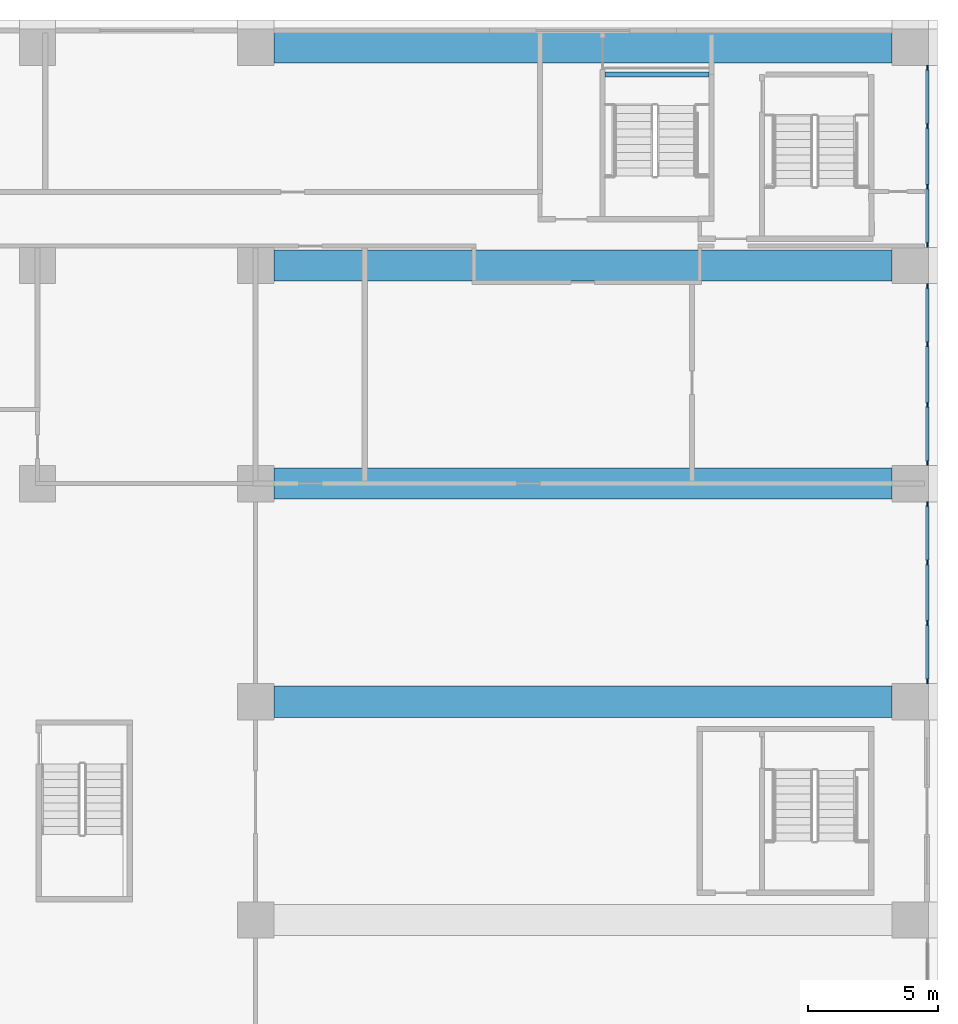
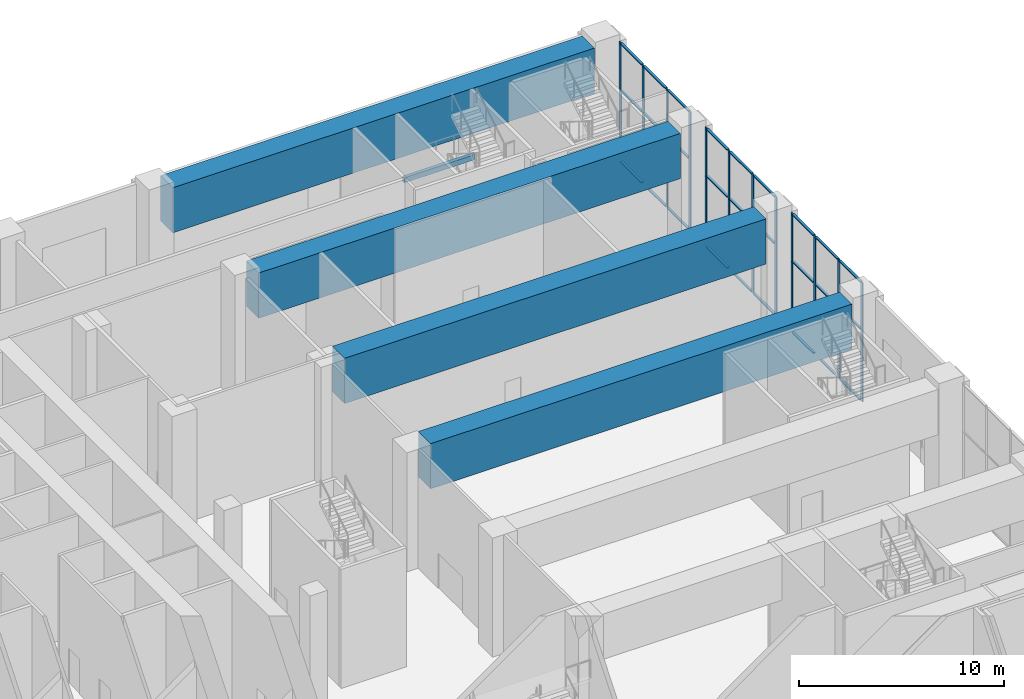
# One storey, part 3 of 29: 39 members, 5 beams, 3 elements without a shape of their own.
"""IFC4 building model written with IfcOpenShell, lengths in metres."""

import ifcopenshell
import ifcopenshell.guid

model = None  # the IFC model being written
_history = None  # IfcOwnerHistory: only IFC2X3 demands one
_inside = {}  # id of a spatial element -> (the spatial element, [elements in it])
_under = {}  # id of a project, library or spatial element -> (it, [spatial elements below it])
_declared = {}  # id of a project -> (the project, [libraries it declares])
_typed = {}  # id of a type object -> (the type object, [elements of that type])
_made_of = {}  # id of a material, layer set ... -> (it, [elements and type objects made of it])


def new_model(schema):
    """Start an empty IFC model of exactly this schema.

    Asked for "IFC4X3", IfcOpenShell would pick the latest addendum, in which some entities
    have other attributes; the version numbers below select the first issue.
    IFC2X3 requires an IfcOwnerHistory on every rooted entity: one is made here for all.
    """
    global model, _history
    if schema == "IFC4X3":
        model = ifcopenshell.file(schema_version=(4, 3, 0, 0))
    else:
        model = ifcopenshell.file(schema=schema)
    _inside.clear()
    _under.clear()
    _declared.clear()
    _typed.clear()
    _made_of.clear()
    _history = None
    if model.schema == "IFC2X3":
        org = make("IfcOrganization", Name="unknown")
        user = make(
            "IfcPersonAndOrganization",
            ThePerson=make("IfcPerson", FamilyName="unknown"),
            TheOrganization=org,
        )
        app = make(
            "IfcApplication",
            ApplicationDeveloper=org,
            Version="unknown",
            ApplicationFullName="unknown",
            ApplicationIdentifier="unknown",
        )
        _history = make(
            "IfcOwnerHistory",
            OwningUser=user,
            OwningApplication=app,
            ChangeAction="ADDED",
            CreationDate=0,
        )
    return model


def make(cls, **values):
    """One entity of the class cls with the attributes given. An attribute that is None is left unset."""
    return model.create_entity(
        cls, **{name: value for name, value in values.items() if value is not None}
    )


def rooted(cls, **values):
    """An entity with a GlobalId (a new one), such as an element, a storey or a relation."""
    return make(cls, GlobalId=ifcopenshell.guid.new(), OwnerHistory=_history, **values)


def si_unit(unit_type, name, prefix=None):
    """IfcSIUnit, for example si_unit("LENGTHUNIT", "METRE", prefix="MILLI")."""
    return make("IfcSIUnit", UnitType=unit_type, Prefix=prefix, Name=name)


def assignment(units):
    """IfcUnitAssignment: the units of a project."""
    return None if units is None else make("IfcUnitAssignment", Units=units)


def point(xyz):
    """IfcCartesianPoint."""
    return None if xyz is None else make("IfcCartesianPoint", Coordinates=xyz)


def direction(xyz):
    """IfcDirection."""
    return None if xyz is None else make("IfcDirection", DirectionRatios=xyz)


def frame(location, z_axis=None, x_axis=None):
    """IfcAxis2Placement3D, a coordinate frame: its origin and axes. An axis left out is left unset."""
    return make(
        "IfcAxis2Placement3D",
        Location=point(location),
        Axis=direction(z_axis),
        RefDirection=direction(x_axis),
    )


def frame_2d(location, x_axis=None):
    """IfcAxis2Placement2D, a coordinate frame in the plane: its origin and x axis."""
    return make(
        "IfcAxis2Placement2D", Location=point(location), RefDirection=direction(x_axis)
    )


def origin():
    """The frame at (0, 0, 0) with its axes left unset."""
    return frame((0.0, 0.0, 0.0))


def origin_2d():
    """The frame at (0, 0) in the plane with its x axis left unset."""
    return frame_2d((0.0, 0.0))


def place(relative_to, where):
    """IfcLocalPlacement: puts the frame where relative to a parent placement (None: the world)."""
    return make(
        "IfcLocalPlacement", PlacementRelTo=relative_to, RelativePlacement=where
    )


def context(
    kind, dimensions, precision=None, world=None, true_north=None, identifier=None
):
    """IfcGeometricRepresentationContext, for example the 3D "Model" context."""
    return make(
        "IfcGeometricRepresentationContext",
        ContextIdentifier=identifier,
        ContextType=kind,
        CoordinateSpaceDimension=dimensions,
        Precision=precision,
        WorldCoordinateSystem=world,
        TrueNorth=true_north,
    )


def subcontext(parent, identifier, kind, view, scale=None):
    """IfcGeometricRepresentationSubContext, for example "Body" below "Model"."""
    return make(
        "IfcGeometricRepresentationSubContext",
        ContextIdentifier=identifier,
        ContextType=kind,
        ParentContext=parent,
        TargetScale=scale,
        TargetView=view,
    )


def project(units=None, contexts=None):
    """IfcProject with its units and contexts."""
    return rooted(
        "IfcProject",
        Name="project",
        RepresentationContexts=contexts,
        UnitsInContext=assignment(units),
    )


def spatial(cls, under=None, at=None, **own):
    """A site, building, storey or space (cls), placed at a placement, below another one or the project."""
    s = rooted(cls, ObjectPlacement=at, **own)
    if under is not None:
        _under.setdefault(under.id(), (under, []))[1].append(s)
    return s


def profile(cls, at=None, kind="AREA", **sizes):
    """A parametric profile (cls). Its sizes go by their IFC names, for example OverallWidth=200.0."""
    return make(cls, ProfileType=kind, Position=at, **sizes)


def rectangle(**sizes):
    """IfcRectangleProfileDef."""
    return profile("IfcRectangleProfileDef", **sizes)


def extrude(swept, where, along, depth):
    """IfcExtrudedAreaSolid: the profile swept, set in the frame where, extruded along a direction by depth."""
    return make(
        "IfcExtrudedAreaSolid",
        SweptArea=swept,
        Position=where,
        ExtrudedDirection=direction(along),
        Depth=depth,
    )


def shape(context_of_items, identifier, shape_type, items):
    """IfcShapeRepresentation: the items that make up one representation, for example the "Body"."""
    return make(
        "IfcShapeRepresentation",
        ContextOfItems=context_of_items,
        RepresentationIdentifier=identifier,
        RepresentationType=shape_type,
        Items=items,
    )


def material(Name=None, Category=None):
    """IfcMaterial."""
    return make("IfcMaterial", Name=Name, Category=Category)


def material_profile(
    of_material, cross_section, Name=None, Category=None, Priority=None
):
    """IfcMaterialProfile: a cross section and its material."""
    return make(
        "IfcMaterialProfile",
        Name=Name,
        Material=of_material,
        Profile=cross_section,
        Priority=Priority,
        Category=Category,
    )


def profile_set(profiles, Name=None, composite=None):
    """IfcMaterialProfileSet."""
    return make(
        "IfcMaterialProfileSet",
        Name=Name,
        MaterialProfiles=profiles,
        CompositeProfile=composite,
    )


def made_of(thing, what):
    """Note that an element or type object is made of a material, layer set ...; save() writes the relation."""
    if what is not None:
        _made_of.setdefault(what.id(), (what, []))[1].append(thing)
    return thing


def type_object(cls, material=None, **own):
    """A type object (cls), such as IfcWallType, which elements share."""
    return made_of(rooted(cls, **own), material)


def element(
    cls,
    number,
    at=None,
    inside=None,
    cuts=None,
    type_object=None,
    material=None,
    context=None,
    identifier="Body",
    shape_type=None,
    held_by="IfcProductDefinitionShape",
    body=None,
    shapes=None,
    **own,
):
    """One element of the class cls, such as IfcWall. Its Tag is "e" and its number.

    at: its placement. inside: the storey or other place that contains it. cuts: it is an
    opening in that element (IfcRelVoidsElement). A single representation is given by context,
    identifier, shape_type and body (its items); several are given by shapes. held_by: the class
    of the entity that holds the representations. save() writes the other relations.
    """
    e = rooted(cls, Tag="e%d" % number, ObjectPlacement=at, **own)
    if body is not None:
        shapes = [shape(context, identifier, shape_type, body)]
    if shapes is not None:
        e.Representation = make(held_by, Representations=shapes)
    if inside is not None:
        _inside.setdefault(inside.id(), (inside, []))[1].append(e)
    if cuts is not None:
        rooted(
            "IfcRelVoidsElement", RelatingBuildingElement=cuts, RelatedOpeningElement=e
        )
    if type_object is not None:
        _typed.setdefault(type_object.id(), (type_object, []))[1].append(e)
    return made_of(e, material)


def aggregate(whole, parts):
    """IfcRelAggregates: a whole, such as a stair, and the parts it consists of."""
    return rooted("IfcRelAggregates", RelatingObject=whole, RelatedObjects=parts)


def save(model, path):
    """Write the relations noted so far, then the file.

    IfcRelAggregates (storeys below a building ...), IfcRelContainedInSpatialStructure (elements
    in a storey), IfcRelDefinesByType, IfcRelAssociatesMaterial and IfcRelDeclares: one each for
    every whole, place, type object, material and project.
    """
    for whole, parts in _under.values():
        aggregate(whole, parts)
    for where, things in _inside.values():
        rooted(
            "IfcRelContainedInSpatialStructure",
            RelatedElements=things,
            RelatingStructure=where,
        )
    for kind, things in _typed.values():
        rooted("IfcRelDefinesByType", RelatedObjects=things, RelatingType=kind)
    for what, things in _made_of.values():
        rooted("IfcRelAssociatesMaterial", RelatedObjects=things, RelatingMaterial=what)
    for by, libraries in _declared.values():
        rooted("IfcRelDeclares", RelatingContext=by, RelatedDefinitions=libraries)
    model.write(path)


model = new_model("IFC4")

# Units and contexts
model_context = context("Model", 3, precision=1e-05, world=origin(), true_north=direction((0.0, 1.0)))
body_context = subcontext(model_context, "Body", "Model", "MODEL_VIEW")
ifc_project = project(units=[si_unit("LENGTHUNIT", "METRE"), si_unit("AREAUNIT", "SQUARE_METRE"), si_unit("VOLUMEUNIT", "CUBIC_METRE"), si_unit("PLANEANGLEUNIT", "RADIAN"), si_unit("MASSUNIT", "GRAM", prefix="KILO")], contexts=[model_context])

# Site, building, storey
site_placement = place(None, origin())
site = spatial("IfcSite", under=ifc_project, at=site_placement, CompositionType="ELEMENT")
building_placement = place(site_placement, origin())
building = spatial("IfcBuilding", under=site, at=building_placement, Name="Vermilion Ogive Tower", CompositionType="ELEMENT")
storey_placement = place(building_placement, frame((0.0, 0.0, 12.5)))
storey = spatial("IfcBuildingStorey", under=building, at=storey_placement, Name="L02", CompositionType="ELEMENT", Elevation=12.5)

# Curtain wall, members
ifc_material_1 = material(Name="Clear double glazing in aluminium frame", Category="aluminium")
curtain_wall_type = type_object("IfcCurtainWallType", Name="Curtain wall CW5", PredefinedType="NOTDEFINED", material=ifc_material_1)
curtain_wall_1_placement = place(storey_placement, origin())
curtain_wall_1 = element("IfcCurtainWall", 1, at=curtain_wall_1_placement, inside=storey, type_object=curtain_wall_type, Name="CW5 ballroom glazing E5", PredefinedType="NOTDEFINED")
ifc_material_2 = material(Name="Aluminium mullion", Category="aluminium")
ifc_material_profile_1 = material_profile(ifc_material_2, rectangle(XDim=0.06005859375, YDim=0.179931640625, at=origin_2d()), Name="AL 60x180")
ifc_profile_set_1 = profile_set([ifc_material_profile_1], Name="Aluminium mullion")
member_type_1 = type_object("IfcMemberType", Name="CW5 mullion 60x180", PredefinedType="MULLION", material=ifc_profile_set_1)
member_1_placement = place(storey_placement, frame((51.06005859375, 4.989990234375, 0.0), z_axis=(0.0, 0.0, 1.0), x_axis=(-1.0, 0.0, 0.0)))
member_1 = element("IfcMember", 2, at=member_1_placement, type_object=member_type_1, Name="CW5-E5 mullion 1", PredefinedType="MULLION", context=body_context, shape_type="SweptSolid", body=[
    extrude(rectangle(XDim=0.06005859375, YDim=0.179931640625, at=origin_2d()), origin(), (0.0, 0.0, 1.0), 7.10009765625),
])
member_2_placement = place(storey_placement, frame((51.06005859375, 7.2333984375, 0.0), z_axis=(0.0, 0.0, 1.0), x_axis=(-1.0, 0.0, 0.0)))
member_2 = element("IfcMember", 3, at=member_2_placement, type_object=member_type_1, Name="CW5-E5 mullion 2", PredefinedType="MULLION", context=body_context, shape_type="SweptSolid", body=[
    extrude(rectangle(XDim=0.06005859375, YDim=0.179931640625, at=origin_2d()), origin(), (0.0, 0.0, 1.0), 7.10009765625),
])
member_3_placement = place(storey_placement, frame((51.06005859375, 9.566650390625, 0.0), z_axis=(0.0, 0.0, 1.0), x_axis=(-1.0, 0.0, 0.0)))
member_3 = element("IfcMember", 4, at=member_3_placement, type_object=member_type_1, Name="CW5-E5 mullion 3", PredefinedType="MULLION", context=body_context, shape_type="SweptSolid", body=[
    extrude(rectangle(XDim=0.06005859375, YDim=0.179931640625, at=origin_2d()), origin(), (0.0, 0.0, 1.0), 7.10009765625),
])
member_4_placement = place(storey_placement, frame((51.06005859375, 11.81005859375, 0.0), z_axis=(0.0, 0.0, 1.0), x_axis=(-1.0, 0.0, 0.0)))
member_4 = element("IfcMember", 5, at=member_4_placement, type_object=member_type_1, Name="CW5-E5 mullion 4", PredefinedType="MULLION", context=body_context, shape_type="SweptSolid", body=[
    extrude(rectangle(XDim=0.06005859375, YDim=0.179931640625, at=origin_2d()), origin(), (0.0, 0.0, 1.0), 7.10009765625),
])

curtain_wall_2_placement = place(storey_placement, origin())
curtain_wall_2 = element("IfcCurtainWall", 6, at=curtain_wall_2_placement, inside=storey, type_object=curtain_wall_type, Name="CW5 ballroom glazing E6", PredefinedType="NOTDEFINED")
member_5_placement = place(storey_placement, frame((51.06005859375, 13.389892578125, 0.0), z_axis=(0.0, 0.0, 1.0), x_axis=(-1.0, 0.0, 0.0)))
member_5 = element("IfcMember", 7, at=member_5_placement, type_object=member_type_1, Name="CW5-E6 mullion 1", PredefinedType="MULLION", context=body_context, shape_type="SweptSolid", body=[
    extrude(rectangle(XDim=0.06005859375, YDim=0.179931640625, at=origin_2d()), origin(), (0.0, 0.0, 1.0), 7.10009765625),
])
member_6_placement = place(storey_placement, frame((51.06005859375, 15.63330078125, 0.0), z_axis=(0.0, 0.0, 1.0), x_axis=(-1.0, 0.0, 0.0)))
member_6 = element("IfcMember", 8, at=member_6_placement, type_object=member_type_1, Name="CW5-E6 mullion 2", PredefinedType="MULLION", context=body_context, shape_type="SweptSolid", body=[
    extrude(rectangle(XDim=0.06005859375, YDim=0.179931640625, at=origin_2d()), origin(), (0.0, 0.0, 1.0), 7.10009765625),
])
member_7_placement = place(storey_placement, frame((51.06005859375, 17.966552734375, 0.0), z_axis=(0.0, 0.0, 1.0), x_axis=(-1.0, 0.0, 0.0)))
member_7 = element("IfcMember", 9, at=member_7_placement, type_object=member_type_1, Name="CW5-E6 mullion 3", PredefinedType="MULLION", context=body_context, shape_type="SweptSolid", body=[
    extrude(rectangle(XDim=0.06005859375, YDim=0.179931640625, at=origin_2d()), origin(), (0.0, 0.0, 1.0), 7.10009765625),
])
member_8_placement = place(storey_placement, frame((51.06005859375, 20.2099609375, 0.0), z_axis=(0.0, 0.0, 1.0), x_axis=(-1.0, 0.0, 0.0)))
member_8 = element("IfcMember", 10, at=member_8_placement, type_object=member_type_1, Name="CW5-E6 mullion 4", PredefinedType="MULLION", context=body_context, shape_type="SweptSolid", body=[
    extrude(rectangle(XDim=0.06005859375, YDim=0.179931640625, at=origin_2d()), origin(), (0.0, 0.0, 1.0), 7.10009765625),
])

curtain_wall_3_placement = place(storey_placement, origin())
curtain_wall_3 = element("IfcCurtainWall", 11, at=curtain_wall_3_placement, inside=storey, type_object=curtain_wall_type, Name="CW5 ballroom glazing E7", PredefinedType="NOTDEFINED")
member_9_placement = place(storey_placement, frame((51.06005859375, 21.7900390625, 0.0), z_axis=(0.0, 0.0, 1.0), x_axis=(-1.0, 0.0, 0.0)))
member_9 = element("IfcMember", 12, at=member_9_placement, type_object=member_type_1, Name="CW5-E7 mullion 1", PredefinedType="MULLION", context=body_context, shape_type="SweptSolid", body=[
    extrude(rectangle(XDim=0.06005859375, YDim=0.179931640625, at=origin_2d()), origin(), (0.0, 0.0, 1.0), 7.10009765625),
])
member_10_placement = place(storey_placement, frame((51.06005859375, 24.033447265625, 0.0), z_axis=(0.0, 0.0, 1.0), x_axis=(-1.0, 0.0, 0.0)))
member_10 = element("IfcMember", 13, at=member_10_placement, type_object=member_type_1, Name="CW5-E7 mullion 2", PredefinedType="MULLION", context=body_context, shape_type="SweptSolid", body=[
    extrude(rectangle(XDim=0.06005859375, YDim=0.179931640625, at=origin_2d()), origin(), (0.0, 0.0, 1.0), 7.10009765625),
])
member_11_placement = place(storey_placement, frame((51.06005859375, 26.36669921875, 0.0), z_axis=(0.0, 0.0, 1.0), x_axis=(-1.0, 0.0, 0.0)))
member_11 = element("IfcMember", 14, at=member_11_placement, type_object=member_type_1, Name="CW5-E7 mullion 3", PredefinedType="MULLION", context=body_context, shape_type="SweptSolid", body=[
    extrude(rectangle(XDim=0.06005859375, YDim=0.179931640625, at=origin_2d()), origin(), (0.0, 0.0, 1.0), 7.10009765625),
])
member_12_placement = place(storey_placement, frame((51.06005859375, 28.610107421875, 0.0), z_axis=(0.0, 0.0, 1.0), x_axis=(-1.0, 0.0, 0.0)))
member_12 = element("IfcMember", 15, at=member_12_placement, type_object=member_type_1, Name="CW5-E7 mullion 4", PredefinedType="MULLION", context=body_context, shape_type="SweptSolid", body=[
    extrude(rectangle(XDim=0.06005859375, YDim=0.179931640625, at=origin_2d()), origin(), (0.0, 0.0, 1.0), 7.10009765625),
])

# Member
ifc_material_3 = material(Name="Aluminium transom", Category="aluminium")
ifc_material_profile_2 = material_profile(ifc_material_3, rectangle(XDim=0.139892578125, YDim=0.06005859375, at=origin_2d()), Name="AL 60x140")
ifc_profile_set_2 = profile_set([ifc_material_profile_2], Name="Aluminium transom")
member_type_2 = type_object("IfcMemberType", Name="CW5 transom 60x140", PredefinedType="USERDEFINED", material=ifc_profile_set_2)
member_13_placement = place(storey_placement, frame((51.06005859375, 5.080078125, 0.030029296875), z_axis=(0.0, 1.0, 0.0), x_axis=(-1.0, 0.0, 0.0)))
member_13 = element("IfcMember", 16, at=member_13_placement, type_object=member_type_2, Name="CW5-E5 transom 1.1", ObjectType="TRANSOM", PredefinedType="USERDEFINED", context=body_context, shape_type="SweptSolid", body=[
    extrude(rectangle(XDim=0.139892578125, YDim=0.06005859375, at=origin_2d()), origin(), (0.0, 0.0, 1.0), 2.063232421875),
])

member_14_placement = place(storey_placement, frame((51.06005859375, 5.080078125, 4.260009765625), z_axis=(0.0, 1.0, 0.0), x_axis=(-1.0, 0.0, 0.0)))
member_14 = element("IfcMember", 17, at=member_14_placement, type_object=member_type_2, Name="CW5-E5 transom 1.2", ObjectType="TRANSOM", PredefinedType="USERDEFINED", context=body_context, shape_type="SweptSolid", body=[
    extrude(rectangle(XDim=0.139892578125, YDim=0.06005859375, at=origin_2d()), origin(), (0.0, 0.0, 1.0), 2.063232421875),
])

member_15_placement = place(storey_placement, frame((51.06005859375, 5.080078125, 7.070068359375), z_axis=(0.0, 1.0, 0.0), x_axis=(-1.0, 0.0, 0.0)))
member_15 = element("IfcMember", 18, at=member_15_placement, type_object=member_type_2, Name="CW5-E5 transom 1.3", ObjectType="TRANSOM", PredefinedType="USERDEFINED", context=body_context, shape_type="SweptSolid", body=[
    extrude(rectangle(XDim=0.139892578125, YDim=0.06005859375, at=origin_2d()), origin(), (0.0, 0.0, 1.0), 2.063232421875),
])

member_16_placement = place(storey_placement, frame((51.06005859375, 7.3232421875, 0.030029296875), z_axis=(0.0, 1.0, 0.0), x_axis=(-1.0, 0.0, 0.0)))
member_16 = element("IfcMember", 19, at=member_16_placement, type_object=member_type_2, Name="CW5-E5 transom 2.1", ObjectType="TRANSOM", PredefinedType="USERDEFINED", context=body_context, shape_type="SweptSolid", body=[
    extrude(rectangle(XDim=0.139892578125, YDim=0.06005859375, at=origin_2d()), origin(), (0.0, 0.0, 1.0), 2.1533203125),
])

member_17_placement = place(storey_placement, frame((51.06005859375, 7.3232421875, 4.260009765625), z_axis=(0.0, 1.0, 0.0), x_axis=(-1.0, 0.0, 0.0)))
member_17 = element("IfcMember", 20, at=member_17_placement, type_object=member_type_2, Name="CW5-E5 transom 2.2", ObjectType="TRANSOM", PredefinedType="USERDEFINED", context=body_context, shape_type="SweptSolid", body=[
    extrude(rectangle(XDim=0.139892578125, YDim=0.06005859375, at=origin_2d()), origin(), (0.0, 0.0, 1.0), 2.1533203125),
])

member_18_placement = place(storey_placement, frame((51.06005859375, 7.3232421875, 7.070068359375), z_axis=(0.0, 1.0, 0.0), x_axis=(-1.0, 0.0, 0.0)))
member_18 = element("IfcMember", 21, at=member_18_placement, type_object=member_type_2, Name="CW5-E5 transom 2.3", ObjectType="TRANSOM", PredefinedType="USERDEFINED", context=body_context, shape_type="SweptSolid", body=[
    extrude(rectangle(XDim=0.139892578125, YDim=0.06005859375, at=origin_2d()), origin(), (0.0, 0.0, 1.0), 2.1533203125),
])

member_19_placement = place(storey_placement, frame((51.06005859375, 9.65673828125, 0.030029296875), z_axis=(0.0, 1.0, 0.0), x_axis=(-1.0, 0.0, 0.0)))
member_19 = element("IfcMember", 22, at=member_19_placement, type_object=member_type_2, Name="CW5-E5 transom 3.1", ObjectType="TRANSOM", PredefinedType="USERDEFINED", context=body_context, shape_type="SweptSolid", body=[
    extrude(rectangle(XDim=0.139892578125, YDim=0.06005859375, at=origin_2d()), origin(), (0.0, 0.0, 1.0), 2.063232421875),
])

member_20_placement = place(storey_placement, frame((51.06005859375, 9.65673828125, 4.260009765625), z_axis=(0.0, 1.0, 0.0), x_axis=(-1.0, 0.0, 0.0)))
member_20 = element("IfcMember", 23, at=member_20_placement, type_object=member_type_2, Name="CW5-E5 transom 3.2", ObjectType="TRANSOM", PredefinedType="USERDEFINED", context=body_context, shape_type="SweptSolid", body=[
    extrude(rectangle(XDim=0.139892578125, YDim=0.06005859375, at=origin_2d()), origin(), (0.0, 0.0, 1.0), 2.063232421875),
])

member_21_placement = place(storey_placement, frame((51.06005859375, 9.65673828125, 7.070068359375), z_axis=(0.0, 1.0, 0.0), x_axis=(-1.0, 0.0, 0.0)))
member_21 = element("IfcMember", 24, at=member_21_placement, type_object=member_type_2, Name="CW5-E5 transom 3.3", ObjectType="TRANSOM", PredefinedType="USERDEFINED", context=body_context, shape_type="SweptSolid", body=[
    extrude(rectangle(XDim=0.139892578125, YDim=0.06005859375, at=origin_2d()), origin(), (0.0, 0.0, 1.0), 2.063232421875),
])

aggregate(curtain_wall_1, [member_1, member_2, member_3, member_4, member_13, member_14, member_15, member_16, member_17, member_18, member_19, member_20, member_21])

member_22_placement = place(storey_placement, frame((51.06005859375, 13.47998046875, 0.030029296875), z_axis=(0.0, 1.0, 0.0), x_axis=(-1.0, 0.0, 0.0)))
member_22 = element("IfcMember", 25, at=member_22_placement, type_object=member_type_2, Name="CW5-E6 transom 1.1", ObjectType="TRANSOM", PredefinedType="USERDEFINED", context=body_context, shape_type="SweptSolid", body=[
    extrude(rectangle(XDim=0.139892578125, YDim=0.06005859375, at=origin_2d()), origin(), (0.0, 0.0, 1.0), 2.063232421875),
])

member_23_placement = place(storey_placement, frame((51.06005859375, 13.47998046875, 4.260009765625), z_axis=(0.0, 1.0, 0.0), x_axis=(-1.0, 0.0, 0.0)))
member_23 = element("IfcMember", 26, at=member_23_placement, type_object=member_type_2, Name="CW5-E6 transom 1.2", ObjectType="TRANSOM", PredefinedType="USERDEFINED", context=body_context, shape_type="SweptSolid", body=[
    extrude(rectangle(XDim=0.139892578125, YDim=0.06005859375, at=origin_2d()), origin(), (0.0, 0.0, 1.0), 2.063232421875),
])

member_24_placement = place(storey_placement, frame((51.06005859375, 13.47998046875, 7.070068359375), z_axis=(0.0, 1.0, 0.0), x_axis=(-1.0, 0.0, 0.0)))
member_24 = element("IfcMember", 27, at=member_24_placement, type_object=member_type_2, Name="CW5-E6 transom 1.3", ObjectType="TRANSOM", PredefinedType="USERDEFINED", context=body_context, shape_type="SweptSolid", body=[
    extrude(rectangle(XDim=0.139892578125, YDim=0.06005859375, at=origin_2d()), origin(), (0.0, 0.0, 1.0), 2.063232421875),
])

member_25_placement = place(storey_placement, frame((51.06005859375, 15.723388671875, 0.030029296875), z_axis=(0.0, 1.0, 0.0), x_axis=(-1.0, 0.0, 0.0)))
member_25 = element("IfcMember", 28, at=member_25_placement, type_object=member_type_2, Name="CW5-E6 transom 2.1", ObjectType="TRANSOM", PredefinedType="USERDEFINED", context=body_context, shape_type="SweptSolid", body=[
    extrude(rectangle(XDim=0.139892578125, YDim=0.06005859375, at=origin_2d()), origin(), (0.0, 0.0, 1.0), 2.1533203125),
])

member_26_placement = place(storey_placement, frame((51.06005859375, 15.723388671875, 4.260009765625), z_axis=(0.0, 1.0, 0.0), x_axis=(-1.0, 0.0, 0.0)))
member_26 = element("IfcMember", 29, at=member_26_placement, type_object=member_type_2, Name="CW5-E6 transom 2.2", ObjectType="TRANSOM", PredefinedType="USERDEFINED", context=body_context, shape_type="SweptSolid", body=[
    extrude(rectangle(XDim=0.139892578125, YDim=0.06005859375, at=origin_2d()), origin(), (0.0, 0.0, 1.0), 2.1533203125),
])

member_27_placement = place(storey_placement, frame((51.06005859375, 15.723388671875, 7.070068359375), z_axis=(0.0, 1.0, 0.0), x_axis=(-1.0, 0.0, 0.0)))
member_27 = element("IfcMember", 30, at=member_27_placement, type_object=member_type_2, Name="CW5-E6 transom 2.3", ObjectType="TRANSOM", PredefinedType="USERDEFINED", context=body_context, shape_type="SweptSolid", body=[
    extrude(rectangle(XDim=0.139892578125, YDim=0.06005859375, at=origin_2d()), origin(), (0.0, 0.0, 1.0), 2.1533203125),
])

member_28_placement = place(storey_placement, frame((51.06005859375, 18.056640625, 0.030029296875), z_axis=(0.0, 1.0, 0.0), x_axis=(-1.0, 0.0, 0.0)))
member_28 = element("IfcMember", 31, at=member_28_placement, type_object=member_type_2, Name="CW5-E6 transom 3.1", ObjectType="TRANSOM", PredefinedType="USERDEFINED", context=body_context, shape_type="SweptSolid", body=[
    extrude(rectangle(XDim=0.139892578125, YDim=0.06005859375, at=origin_2d()), origin(), (0.0, 0.0, 1.0), 2.0634765625),
])

member_29_placement = place(storey_placement, frame((51.06005859375, 18.056640625, 4.260009765625), z_axis=(0.0, 1.0, 0.0), x_axis=(-1.0, 0.0, 0.0)))
member_29 = element("IfcMember", 32, at=member_29_placement, type_object=member_type_2, Name="CW5-E6 transom 3.2", ObjectType="TRANSOM", PredefinedType="USERDEFINED", context=body_context, shape_type="SweptSolid", body=[
    extrude(rectangle(XDim=0.139892578125, YDim=0.06005859375, at=origin_2d()), origin(), (0.0, 0.0, 1.0), 2.0634765625),
])

member_30_placement = place(storey_placement, frame((51.06005859375, 18.056640625, 7.070068359375), z_axis=(0.0, 1.0, 0.0), x_axis=(-1.0, 0.0, 0.0)))
member_30 = element("IfcMember", 33, at=member_30_placement, type_object=member_type_2, Name="CW5-E6 transom 3.3", ObjectType="TRANSOM", PredefinedType="USERDEFINED", context=body_context, shape_type="SweptSolid", body=[
    extrude(rectangle(XDim=0.139892578125, YDim=0.06005859375, at=origin_2d()), origin(), (0.0, 0.0, 1.0), 2.0634765625),
])

aggregate(curtain_wall_2, [member_5, member_6, member_7, member_8, member_22, member_23, member_24, member_25, member_26, member_27, member_28, member_29, member_30])

member_31_placement = place(storey_placement, frame((51.06005859375, 21.8798828125, 0.030029296875), z_axis=(0.0, 1.0, 0.0), x_axis=(-1.0, 0.0, 0.0)))
member_31 = element("IfcMember", 34, at=member_31_placement, type_object=member_type_2, Name="CW5-E7 transom 1.1", ObjectType="TRANSOM", PredefinedType="USERDEFINED", context=body_context, shape_type="SweptSolid", body=[
    extrude(rectangle(XDim=0.139892578125, YDim=0.06005859375, at=origin_2d()), origin(), (0.0, 0.0, 1.0), 2.0634765625),
])

member_32_placement = place(storey_placement, frame((51.06005859375, 21.8798828125, 4.260009765625), z_axis=(0.0, 1.0, 0.0), x_axis=(-1.0, 0.0, 0.0)))
member_32 = element("IfcMember", 35, at=member_32_placement, type_object=member_type_2, Name="CW5-E7 transom 1.2", ObjectType="TRANSOM", PredefinedType="USERDEFINED", context=body_context, shape_type="SweptSolid", body=[
    extrude(rectangle(XDim=0.139892578125, YDim=0.06005859375, at=origin_2d()), origin(), (0.0, 0.0, 1.0), 2.0634765625),
])

member_33_placement = place(storey_placement, frame((51.06005859375, 21.8798828125, 7.070068359375), z_axis=(0.0, 1.0, 0.0), x_axis=(-1.0, 0.0, 0.0)))
member_33 = element("IfcMember", 36, at=member_33_placement, type_object=member_type_2, Name="CW5-E7 transom 1.3", ObjectType="TRANSOM", PredefinedType="USERDEFINED", context=body_context, shape_type="SweptSolid", body=[
    extrude(rectangle(XDim=0.139892578125, YDim=0.06005859375, at=origin_2d()), origin(), (0.0, 0.0, 1.0), 2.0634765625),
])

member_34_placement = place(storey_placement, frame((51.06005859375, 24.123291015625, 0.030029296875), z_axis=(0.0, 1.0, 0.0), x_axis=(-1.0, 0.0, 0.0)))
member_34 = element("IfcMember", 37, at=member_34_placement, type_object=member_type_2, Name="CW5-E7 transom 2.1", ObjectType="TRANSOM", PredefinedType="USERDEFINED", context=body_context, shape_type="SweptSolid", body=[
    extrude(rectangle(XDim=0.139892578125, YDim=0.06005859375, at=origin_2d()), origin(), (0.0, 0.0, 1.0), 2.1533203125),
])

member_35_placement = place(storey_placement, frame((51.06005859375, 24.123291015625, 4.260009765625), z_axis=(0.0, 1.0, 0.0), x_axis=(-1.0, 0.0, 0.0)))
member_35 = element("IfcMember", 38, at=member_35_placement, type_object=member_type_2, Name="CW5-E7 transom 2.2", ObjectType="TRANSOM", PredefinedType="USERDEFINED", context=body_context, shape_type="SweptSolid", body=[
    extrude(rectangle(XDim=0.139892578125, YDim=0.06005859375, at=origin_2d()), origin(), (0.0, 0.0, 1.0), 2.1533203125),
])

member_36_placement = place(storey_placement, frame((51.06005859375, 24.123291015625, 7.070068359375), z_axis=(0.0, 1.0, 0.0), x_axis=(-1.0, 0.0, 0.0)))
member_36 = element("IfcMember", 39, at=member_36_placement, type_object=member_type_2, Name="CW5-E7 transom 2.3", ObjectType="TRANSOM", PredefinedType="USERDEFINED", context=body_context, shape_type="SweptSolid", body=[
    extrude(rectangle(XDim=0.139892578125, YDim=0.06005859375, at=origin_2d()), origin(), (0.0, 0.0, 1.0), 2.1533203125),
])

member_37_placement = place(storey_placement, frame((51.06005859375, 26.456787109375, 0.030029296875), z_axis=(0.0, 1.0, 0.0), x_axis=(-1.0, 0.0, 0.0)))
member_37 = element("IfcMember", 40, at=member_37_placement, type_object=member_type_2, Name="CW5-E7 transom 3.1", ObjectType="TRANSOM", PredefinedType="USERDEFINED", context=body_context, shape_type="SweptSolid", body=[
    extrude(rectangle(XDim=0.139892578125, YDim=0.06005859375, at=origin_2d()), origin(), (0.0, 0.0, 1.0), 2.063232421875),
])

member_38_placement = place(storey_placement, frame((51.06005859375, 26.456787109375, 4.260009765625), z_axis=(0.0, 1.0, 0.0), x_axis=(-1.0, 0.0, 0.0)))
member_38 = element("IfcMember", 41, at=member_38_placement, type_object=member_type_2, Name="CW5-E7 transom 3.2", ObjectType="TRANSOM", PredefinedType="USERDEFINED", context=body_context, shape_type="SweptSolid", body=[
    extrude(rectangle(XDim=0.139892578125, YDim=0.06005859375, at=origin_2d()), origin(), (0.0, 0.0, 1.0), 2.063232421875),
])

member_39_placement = place(storey_placement, frame((51.06005859375, 26.456787109375, 7.070068359375), z_axis=(0.0, 1.0, 0.0), x_axis=(-1.0, 0.0, 0.0)))
member_39 = element("IfcMember", 42, at=member_39_placement, type_object=member_type_2, Name="CW5-E7 transom 3.3", ObjectType="TRANSOM", PredefinedType="USERDEFINED", context=body_context, shape_type="SweptSolid", body=[
    extrude(rectangle(XDim=0.139892578125, YDim=0.06005859375, at=origin_2d()), origin(), (0.0, 0.0, 1.0), 2.063232421875),
])

aggregate(curtain_wall_3, [member_9, member_10, member_11, member_12, member_31, member_32, member_33, member_34, member_35, member_36, member_37, member_38, member_39])

# Beams
ifc_material_4 = material(Name="Concrete B45", Category="concrete")
ifc_material_profile_3 = material_profile(ifc_material_4, rectangle(XDim=0.199951171875, YDim=0.300048828125, at=origin_2d()), Name="RC 200x300")
ifc_profile_set_3 = profile_set([ifc_material_profile_3], Name="Concrete B45")
beam_type_1 = type_object("IfcBeamType", Name="Stair landing edge beam LB1 200x300", PredefinedType="BEAM", material=ifc_profile_set_3)
beam_placement = place(storey_placement, frame((38.650146484375, 28.35009765625, 3.39990234375), z_axis=(1.0, 0.0, 0.0), x_axis=(0.0, 1.0, 0.0)))
element("IfcBeam", 43, at=beam_placement, inside=storey, type_object=beam_type_1, Name="L02 stair landing edge beam", PredefinedType="BEAM", context=body_context, shape_type="SweptSolid", body=[
    extrude(rectangle(XDim=0.199951171875, YDim=0.300048828125, at=origin_2d()), origin(), (0.0, 0.0, 1.0), 3.999755859375),
])
ifc_material_5 = material(Name="Concrete B60", Category="concrete")
ifc_material_profile_4 = material_profile(ifc_material_5, rectangle(XDim=1.199951171875, YDim=2.699951171875, at=origin_2d()), Name="RC 1200x2700")
ifc_profile_set_4 = profile_set([ifc_material_profile_4], Name="Concrete B60")
beam_type_2 = type_object("IfcBeamType", Name="Transfer girder TG1 1200x2700", PredefinedType="BEAM", material=ifc_profile_set_4)
for number, where, z_axis, x_axis, name in (
    (44, (25.89990234375, 4.199951171875, 5.75), (1.0, 0.0, 0.0), (0.0, 1.0, 0.0), "Transfer girder 05"),
    (45, (25.89990234375, 12.60009765625, 5.75), (1.0, 0.0, 0.0), (0.0, 1.0, 0.0), "Transfer girder 06"),
    (46, (25.89990234375, 21.0, 5.75), (1.0, 0.0, 0.0), (0.0, 1.0, 0.0), "Transfer girder 07"),
    (47, (25.89990234375, 29.39990234375, 5.75), (1.0, 0.0, 0.0), (0.0, 1.0, 0.0), "Transfer girder 08"),
):
    element("IfcBeam", number, at=place(storey_placement, frame(where, z_axis=z_axis, x_axis=x_axis)), inside=storey, type_object=beam_type_2, Name=name, PredefinedType="BEAM", context=body_context, shape_type="SweptSolid", body=[
        extrude(rectangle(XDim=1.199951171875, YDim=2.699951171875, at=origin_2d()), origin(), (0.0, 0.0, 1.0), 23.800048828125),
    ])

save(model, "model.ifc")
